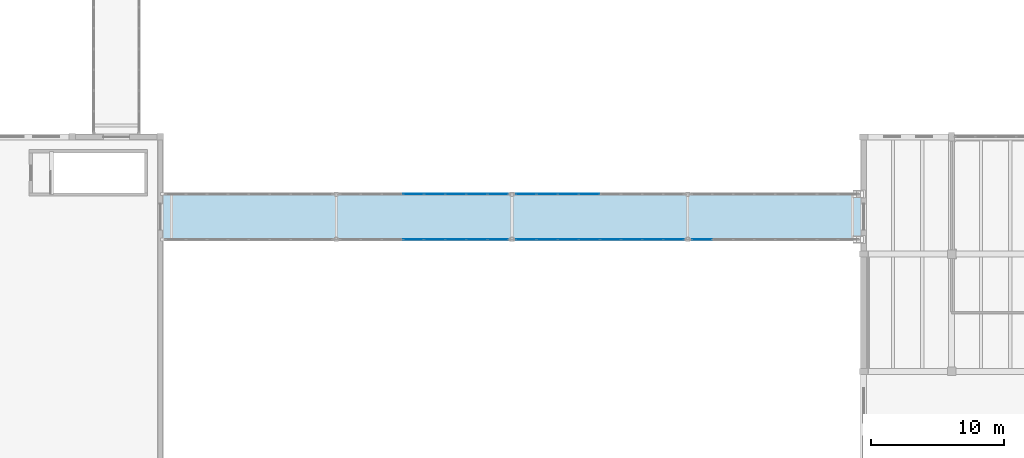
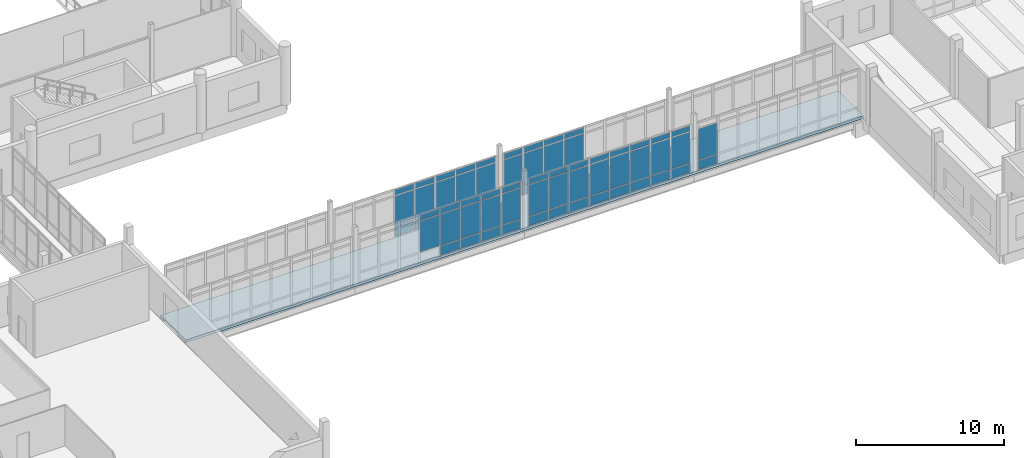
# One storey, part 48 of 101: 67 plates, 1 slab, 5 elements without a shape of their own.
"""IFC4 building model written with IfcOpenShell, lengths in metres."""

from ifc_helpers import new_model, si_unit, direction, frame, origin, origin_2d, place, context, subcontext, project, spatial, polyline, rectangle, outline, extrude, material, layer, layer_set, type_object, element, aggregate, save


model = new_model("IFC4")

# Units and contexts
model_context = context("Model", 3, precision=1e-05, world=origin(), true_north=direction((0.0, 1.0)))
body_context = subcontext(model_context, "Body", "Model", "MODEL_VIEW")
ifc_project = project(units=[si_unit("LENGTHUNIT", "METRE"), si_unit("AREAUNIT", "SQUARE_METRE"), si_unit("VOLUMEUNIT", "CUBIC_METRE"), si_unit("PLANEANGLEUNIT", "RADIAN"), si_unit("MASSUNIT", "GRAM", prefix="KILO")], contexts=[model_context])

# Site, building, storey
site_placement = place(None, origin())
site = spatial("IfcSite", under=ifc_project, at=site_placement, CompositionType="ELEMENT")
building_placement = place(site_placement, origin())
building = spatial("IfcBuilding", under=site, at=building_placement, Name="Dornvale Research Institute", CompositionType="ELEMENT")
storey_placement = place(building_placement, frame((0.0, 0.0, 10.199951171875)))
storey = spatial("IfcBuildingStorey", under=building, at=storey_placement, Name="L02", CompositionType="ELEMENT", Elevation=10.199951171875)

# Curtain wall, plates
ifc_material_1 = material(Name="Low-E Argon Double Insulating Glazing Unit", Category="glass")
curtain_wall_type_1 = type_object("IfcCurtainWallType", Name="UnitisedCurtainWall_V2_12700x4000", PredefinedType="USERDEFINED", material=ifc_material_1)
curtain_wall_1_placement = place(storey_placement, origin())
curtain_wall_1 = element("IfcCurtainWall", 1, at=curtain_wall_1_placement, inside=storey, type_object=curtain_wall_type_1, Name="L02 V2 unitised curtain wall CW-42 #225", ObjectType="UNITISED CURTAIN WALL", PredefinedType="USERDEFINED")
ifc_material_2 = material(Name="Insulated Ceramic-Frit Spandrel Glass Panel", Category="glass")
ifc_layer_1 = layer(ifc_material_2, 0.0419921875)
ifc_layer_set_1 = layer_set([ifc_layer_1], Name="Insulated Ceramic-Frit Spandrel Glass Panel")
plate_type_1 = type_object("IfcPlateType", Name="CurtainPanel_Spandrel_42", PredefinedType="CURTAIN_PANEL", material=ifc_layer_set_1)
plate_1_placement = place(storey_placement, frame((65.206298828125, 22.10009765625, 0.065185546875), z_axis=(0.0, 0.0, 1.0), x_axis=(1.0, 0.0, 0.0)))
plate_1 = element("IfcPlate", 2, at=plate_1_placement, type_object=plate_type_1, Name="CW-42 panel 4.1", PredefinedType="CURTAIN_PANEL", context=body_context, shape_type="SweptSolid", body=[
    extrude(rectangle(XDim=1.5224609375, YDim=0.0419921875, at=origin_2d()), origin(), (0.0, 0.0, 1.0), 0.75244140625),
])
plate_2_placement = place(storey_placement, frame((66.793701171875, 22.10009765625, 0.065185546875), z_axis=(0.0, 0.0, 1.0), x_axis=(1.0, 0.0, 0.0)))
plate_2 = element("IfcPlate", 3, at=plate_2_placement, type_object=plate_type_1, Name="CW-42 panel 5.1", PredefinedType="CURTAIN_PANEL", context=body_context, shape_type="SweptSolid", body=[
    extrude(rectangle(XDim=1.5224609375, YDim=0.0419921875, at=origin_2d()), origin(), (0.0, 0.0, 1.0), 0.75244140625),
])
plate_3_placement = place(storey_placement, frame((68.38134765625, 22.10009765625, 0.065185546875), z_axis=(0.0, 0.0, 1.0), x_axis=(1.0, 0.0, 0.0)))
plate_3 = element("IfcPlate", 4, at=plate_3_placement, type_object=plate_type_1, Name="CW-42 panel 6.1", PredefinedType="CURTAIN_PANEL", context=body_context, shape_type="SweptSolid", body=[
    extrude(rectangle(XDim=1.5224609375, YDim=0.0419921875, at=origin_2d()), origin(), (0.0, 0.0, 1.0), 0.75244140625),
])
plate_4_placement = place(storey_placement, frame((69.96875, 22.10009765625, 0.065185546875), z_axis=(0.0, 0.0, 1.0), x_axis=(1.0, 0.0, 0.0)))
plate_4 = element("IfcPlate", 5, at=plate_4_placement, type_object=plate_type_1, Name="CW-42 panel 7.1", PredefinedType="CURTAIN_PANEL", context=body_context, shape_type="SweptSolid", body=[
    extrude(rectangle(XDim=1.5224609375, YDim=0.0419921875, at=origin_2d()), origin(), (0.0, 0.0, 1.0), 0.75244140625),
])
plate_5_placement = place(storey_placement, frame((71.5400390625, 22.10009765625, 0.065185546875), z_axis=(0.0, 0.0, 1.0), x_axis=(1.0, 0.0, 0.0)))
plate_5 = element("IfcPlate", 6, at=plate_5_placement, type_object=plate_type_1, Name="CW-42 panel 8.1", PredefinedType="CURTAIN_PANEL", context=body_context, shape_type="SweptSolid", body=[
    extrude(rectangle(XDim=1.489990234375, YDim=0.0419921875, at=origin_2d()), origin(), (0.0, 0.0, 1.0), 0.75244140625),
])

curtain_wall_2_placement = place(storey_placement, origin())
curtain_wall_2 = element("IfcCurtainWall", 7, at=curtain_wall_2_placement, inside=storey, type_object=curtain_wall_type_1, Name="L02 V2 unitised curtain wall CW-42 #226", ObjectType="UNITISED CURTAIN WALL", PredefinedType="USERDEFINED")
plate_6_placement = place(storey_placement, frame((71.5400390625, 18.699951171875, 0.065185546875), z_axis=(0.0, 0.0, 1.0), x_axis=(-1.0, 0.0, 0.0)))
plate_6 = element("IfcPlate", 8, at=plate_6_placement, type_object=plate_type_1, Name="CW-42 panel 1.1", PredefinedType="CURTAIN_PANEL", context=body_context, shape_type="SweptSolid", body=[
    extrude(rectangle(XDim=1.489990234375, YDim=0.0419921875, at=origin_2d()), origin(), (0.0, 0.0, 1.0), 0.75244140625),
])
plate_7_placement = place(storey_placement, frame((69.96875, 18.699951171875, 0.065185546875), z_axis=(0.0, 0.0, 1.0), x_axis=(-1.0, 0.0, 0.0)))
plate_7 = element("IfcPlate", 9, at=plate_7_placement, type_object=plate_type_1, Name="CW-42 panel 2.1", PredefinedType="CURTAIN_PANEL", context=body_context, shape_type="SweptSolid", body=[
    extrude(rectangle(XDim=1.5224609375, YDim=0.0419921875, at=origin_2d()), origin(), (0.0, 0.0, 1.0), 0.75244140625),
])
plate_8_placement = place(storey_placement, frame((68.38134765625, 18.699951171875, 0.065185546875), z_axis=(0.0, 0.0, 1.0), x_axis=(-1.0, 0.0, 0.0)))
plate_8 = element("IfcPlate", 10, at=plate_8_placement, type_object=plate_type_1, Name="CW-42 panel 3.1", PredefinedType="CURTAIN_PANEL", context=body_context, shape_type="SweptSolid", body=[
    extrude(rectangle(XDim=1.5224609375, YDim=0.0419921875, at=origin_2d()), origin(), (0.0, 0.0, 1.0), 0.75244140625),
])
plate_9_placement = place(storey_placement, frame((66.793701171875, 18.699951171875, 0.065185546875), z_axis=(0.0, 0.0, 1.0), x_axis=(-1.0, 0.0, 0.0)))
plate_9 = element("IfcPlate", 11, at=plate_9_placement, type_object=plate_type_1, Name="CW-42 panel 4.1", PredefinedType="CURTAIN_PANEL", context=body_context, shape_type="SweptSolid", body=[
    extrude(rectangle(XDim=1.5224609375, YDim=0.0419921875, at=origin_2d()), origin(), (0.0, 0.0, 1.0), 0.75244140625),
])

curtain_wall_3_placement = place(storey_placement, origin())
curtain_wall_3 = element("IfcCurtainWall", 12, at=curtain_wall_3_placement, inside=storey, type_object=curtain_wall_type_1, Name="L02 V2 unitised curtain wall CW-42 #227", ObjectType="UNITISED CURTAIN WALL", PredefinedType="USERDEFINED")
plate_10_placement = place(storey_placement, frame((73.659912109375, 22.10009765625, 0.065185546875), z_axis=(0.0, 0.0, 1.0), x_axis=(1.0, 0.0, 0.0)))
plate_10 = element("IfcPlate", 13, at=plate_10_placement, type_object=plate_type_1, Name="CW-42 panel 1.1", PredefinedType="CURTAIN_PANEL", context=body_context, shape_type="SweptSolid", body=[
    extrude(rectangle(XDim=1.489990234375, YDim=0.0419921875, at=origin_2d()), origin(), (0.0, 0.0, 1.0), 0.75244140625),
])
plate_11_placement = place(storey_placement, frame((75.231201171875, 22.10009765625, 0.065185546875), z_axis=(0.0, 0.0, 1.0), x_axis=(1.0, 0.0, 0.0)))
plate_11 = element("IfcPlate", 14, at=plate_11_placement, type_object=plate_type_1, Name="CW-42 panel 2.1", PredefinedType="CURTAIN_PANEL", context=body_context, shape_type="SweptSolid", body=[
    extrude(rectangle(XDim=1.5224609375, YDim=0.0419921875, at=origin_2d()), origin(), (0.0, 0.0, 1.0), 0.75244140625),
])
plate_12_placement = place(storey_placement, frame((76.81884765625, 22.10009765625, 0.065185546875), z_axis=(0.0, 0.0, 1.0), x_axis=(1.0, 0.0, 0.0)))
plate_12 = element("IfcPlate", 15, at=plate_12_placement, type_object=plate_type_1, Name="CW-42 panel 3.1", PredefinedType="CURTAIN_PANEL", context=body_context, shape_type="SweptSolid", body=[
    extrude(rectangle(XDim=1.5224609375, YDim=0.0419921875, at=origin_2d()), origin(), (0.0, 0.0, 1.0), 0.75244140625),
])
plate_13_placement = place(storey_placement, frame((78.40625, 22.10009765625, 0.065185546875), z_axis=(0.0, 0.0, 1.0), x_axis=(1.0, 0.0, 0.0)))
plate_13 = element("IfcPlate", 16, at=plate_13_placement, type_object=plate_type_1, Name="CW-42 panel 4.1", PredefinedType="CURTAIN_PANEL", context=body_context, shape_type="SweptSolid", body=[
    extrude(rectangle(XDim=1.5224609375, YDim=0.0419921875, at=origin_2d()), origin(), (0.0, 0.0, 1.0), 0.75244140625),
])

curtain_wall_4_placement = place(storey_placement, origin())
curtain_wall_4 = element("IfcCurtainWall", 17, at=curtain_wall_4_placement, inside=storey, type_object=curtain_wall_type_1, Name="L02 V2 unitised curtain wall CW-42 #228", ObjectType="UNITISED CURTAIN WALL", PredefinedType="USERDEFINED")
plate_14_placement = place(storey_placement, frame((84.739990234375, 18.699951171875, 0.065185546875), z_axis=(0.0, 0.0, 1.0), x_axis=(-1.0, 0.0, 0.0)))
plate_14 = element("IfcPlate", 18, at=plate_14_placement, type_object=plate_type_1, Name="CW-42 panel 1.1", PredefinedType="CURTAIN_PANEL", context=body_context, shape_type="SweptSolid", body=[
    extrude(rectangle(XDim=1.489990234375, YDim=0.0419921875, at=origin_2d()), origin(), (0.0, 0.0, 1.0), 0.75244140625),
])
plate_15_placement = place(storey_placement, frame((83.168701171875, 18.699951171875, 0.065185546875), z_axis=(0.0, 0.0, 1.0), x_axis=(-1.0, 0.0, 0.0)))
plate_15 = element("IfcPlate", 19, at=plate_15_placement, type_object=plate_type_1, Name="CW-42 panel 2.1", PredefinedType="CURTAIN_PANEL", context=body_context, shape_type="SweptSolid", body=[
    extrude(rectangle(XDim=1.5224609375, YDim=0.0419921875, at=origin_2d()), origin(), (0.0, 0.0, 1.0), 0.75244140625),
])
plate_16_placement = place(storey_placement, frame((81.581298828125, 18.699951171875, 0.065185546875), z_axis=(0.0, 0.0, 1.0), x_axis=(-1.0, 0.0, 0.0)))
plate_16 = element("IfcPlate", 20, at=plate_16_placement, type_object=plate_type_1, Name="CW-42 panel 3.1", PredefinedType="CURTAIN_PANEL", context=body_context, shape_type="SweptSolid", body=[
    extrude(rectangle(XDim=1.5224609375, YDim=0.0419921875, at=origin_2d()), origin(), (0.0, 0.0, 1.0), 0.75244140625),
])
plate_17_placement = place(storey_placement, frame((79.99365234375, 18.699951171875, 0.065185546875), z_axis=(0.0, 0.0, 1.0), x_axis=(-1.0, 0.0, 0.0)))
plate_17 = element("IfcPlate", 21, at=plate_17_placement, type_object=plate_type_1, Name="CW-42 panel 4.1", PredefinedType="CURTAIN_PANEL", context=body_context, shape_type="SweptSolid", body=[
    extrude(rectangle(XDim=1.5224609375, YDim=0.0419921875, at=origin_2d()), origin(), (0.0, 0.0, 1.0), 0.75244140625),
])
plate_18_placement = place(storey_placement, frame((78.40625, 18.699951171875, 0.065185546875), z_axis=(0.0, 0.0, 1.0), x_axis=(-1.0, 0.0, 0.0)))
plate_18 = element("IfcPlate", 22, at=plate_18_placement, type_object=plate_type_1, Name="CW-42 panel 5.1", PredefinedType="CURTAIN_PANEL", context=body_context, shape_type="SweptSolid", body=[
    extrude(rectangle(XDim=1.5224609375, YDim=0.0419921875, at=origin_2d()), origin(), (0.0, 0.0, 1.0), 0.75244140625),
])
plate_19_placement = place(storey_placement, frame((76.81884765625, 18.699951171875, 0.065185546875), z_axis=(0.0, 0.0, 1.0), x_axis=(-1.0, 0.0, 0.0)))
plate_19 = element("IfcPlate", 23, at=plate_19_placement, type_object=plate_type_1, Name="CW-42 panel 6.1", PredefinedType="CURTAIN_PANEL", context=body_context, shape_type="SweptSolid", body=[
    extrude(rectangle(XDim=1.5224609375, YDim=0.0419921875, at=origin_2d()), origin(), (0.0, 0.0, 1.0), 0.75244140625),
])
plate_20_placement = place(storey_placement, frame((75.231201171875, 18.699951171875, 0.065185546875), z_axis=(0.0, 0.0, 1.0), x_axis=(-1.0, 0.0, 0.0)))
plate_20 = element("IfcPlate", 24, at=plate_20_placement, type_object=plate_type_1, Name="CW-42 panel 7.1", PredefinedType="CURTAIN_PANEL", context=body_context, shape_type="SweptSolid", body=[
    extrude(rectangle(XDim=1.5224609375, YDim=0.0419921875, at=origin_2d()), origin(), (0.0, 0.0, 1.0), 0.75244140625),
])
plate_21_placement = place(storey_placement, frame((73.659912109375, 18.699951171875, 0.065185546875), z_axis=(0.0, 0.0, 1.0), x_axis=(-1.0, 0.0, 0.0)))
plate_21 = element("IfcPlate", 25, at=plate_21_placement, type_object=plate_type_1, Name="CW-42 panel 8.1", PredefinedType="CURTAIN_PANEL", context=body_context, shape_type="SweptSolid", body=[
    extrude(rectangle(XDim=1.489990234375, YDim=0.0419921875, at=origin_2d()), origin(), (0.0, 0.0, 1.0), 0.75244140625),
])

# Curtain wall, plate
ifc_material_3 = material(Name="Low-E Argon Double Insulating Glazing Unit", Category="glass")
curtain_wall_type_2 = type_object("IfcCurtainWallType", Name="UnitisedCurtainWall_V2_12600x4000", PredefinedType="USERDEFINED", material=ifc_material_3)
curtain_wall_5_placement = place(storey_placement, origin())
curtain_wall_5 = element("IfcCurtainWall", 26, at=curtain_wall_5_placement, inside=storey, type_object=curtain_wall_type_2, Name="L02 V2 unitised curtain wall CW-41 #230", ObjectType="UNITISED CURTAIN WALL", PredefinedType="USERDEFINED")
plate_22_placement = place(storey_placement, frame((86.853759765625, 18.699951171875, 0.065185546875), z_axis=(0.0, 0.0, 1.0), x_axis=(-1.0, 0.0, 0.0)))
plate_22 = element("IfcPlate", 27, at=plate_22_placement, type_object=plate_type_1, Name="CW-41 panel 8.1", PredefinedType="CURTAIN_PANEL", context=body_context, shape_type="SweptSolid", body=[
    extrude(rectangle(XDim=1.4775390625, YDim=0.0419921875, at=origin_2d()), origin(), (0.0, 0.0, 1.0), 0.75244140625),
])

# Plate
ifc_material_4 = material(Name="Low-E Argon Double Insulating Glazing Unit", Category="glass")
ifc_layer_2 = layer(ifc_material_4, 0.028076171875)
ifc_layer_set_2 = layer_set([ifc_layer_2], Name="Low-E Argon Double Insulating Glazing Unit")
plate_type_2 = type_object("IfcPlateType", Name="CurtainPanel_Vision_28", PredefinedType="CURTAIN_PANEL", material=ifc_layer_set_2)
plate_23_placement = place(storey_placement, frame((65.206298828125, 22.10009765625, 0.8828125), z_axis=(0.0, 0.0, 1.0), x_axis=(1.0, 0.0, 0.0)))
plate_23 = element("IfcPlate", 28, at=plate_23_placement, type_object=plate_type_2, Name="CW-42 panel 4.2", PredefinedType="CURTAIN_PANEL", context=body_context, shape_type="SweptSolid", body=[
    extrude(rectangle(XDim=1.5224609375, YDim=0.028076171875, at=origin_2d()), origin(), (0.0, 0.0, 1.0), 2.534912109375),
])

plate_24_placement = place(storey_placement, frame((65.206298828125, 22.10009765625, 3.482421875), z_axis=(0.0, 0.0, 1.0), x_axis=(1.0, 0.0, 0.0)))
plate_24 = element("IfcPlate", 29, at=plate_24_placement, type_object=plate_type_2, Name="CW-42 panel 4.3", PredefinedType="CURTAIN_PANEL", context=body_context, shape_type="SweptSolid", body=[
    extrude(rectangle(XDim=1.5224609375, YDim=0.028076171875, at=origin_2d()), origin(), (0.0, 0.0, 1.0), 0.452392578125),
])

plate_25_placement = place(storey_placement, frame((66.793701171875, 22.10009765625, 0.8828125), z_axis=(0.0, 0.0, 1.0), x_axis=(1.0, 0.0, 0.0)))
plate_25 = element("IfcPlate", 30, at=plate_25_placement, type_object=plate_type_2, Name="CW-42 panel 5.2", PredefinedType="CURTAIN_PANEL", context=body_context, shape_type="SweptSolid", body=[
    extrude(rectangle(XDim=1.5224609375, YDim=0.028076171875, at=origin_2d()), origin(), (0.0, 0.0, 1.0), 2.534912109375),
])

plate_26_placement = place(storey_placement, frame((66.793701171875, 22.10009765625, 3.482421875), z_axis=(0.0, 0.0, 1.0), x_axis=(1.0, 0.0, 0.0)))
plate_26 = element("IfcPlate", 31, at=plate_26_placement, type_object=plate_type_2, Name="CW-42 panel 5.3", PredefinedType="CURTAIN_PANEL", context=body_context, shape_type="SweptSolid", body=[
    extrude(rectangle(XDim=1.5224609375, YDim=0.028076171875, at=origin_2d()), origin(), (0.0, 0.0, 1.0), 0.452392578125),
])

plate_27_placement = place(storey_placement, frame((68.38134765625, 22.10009765625, 0.8828125), z_axis=(0.0, 0.0, 1.0), x_axis=(1.0, 0.0, 0.0)))
plate_27 = element("IfcPlate", 32, at=plate_27_placement, type_object=plate_type_2, Name="CW-42 panel 6.2", PredefinedType="CURTAIN_PANEL", context=body_context, shape_type="SweptSolid", body=[
    extrude(rectangle(XDim=1.5224609375, YDim=0.028076171875, at=origin_2d()), origin(), (0.0, 0.0, 1.0), 2.534912109375),
])

plate_28_placement = place(storey_placement, frame((68.38134765625, 22.10009765625, 3.482421875), z_axis=(0.0, 0.0, 1.0), x_axis=(1.0, 0.0, 0.0)))
plate_28 = element("IfcPlate", 33, at=plate_28_placement, type_object=plate_type_2, Name="CW-42 panel 6.3", PredefinedType="CURTAIN_PANEL", context=body_context, shape_type="SweptSolid", body=[
    extrude(rectangle(XDim=1.5224609375, YDim=0.028076171875, at=origin_2d()), origin(), (0.0, 0.0, 1.0), 0.452392578125),
])

plate_29_placement = place(storey_placement, frame((69.96875, 22.10009765625, 0.8828125), z_axis=(0.0, 0.0, 1.0), x_axis=(1.0, 0.0, 0.0)))
plate_29 = element("IfcPlate", 34, at=plate_29_placement, type_object=plate_type_2, Name="CW-42 panel 7.2", PredefinedType="CURTAIN_PANEL", context=body_context, shape_type="SweptSolid", body=[
    extrude(rectangle(XDim=1.5224609375, YDim=0.028076171875, at=origin_2d()), origin(), (0.0, 0.0, 1.0), 2.534912109375),
])

plate_30_placement = place(storey_placement, frame((69.96875, 22.10009765625, 3.482421875), z_axis=(0.0, 0.0, 1.0), x_axis=(1.0, 0.0, 0.0)))
plate_30 = element("IfcPlate", 35, at=plate_30_placement, type_object=plate_type_2, Name="CW-42 panel 7.3", PredefinedType="CURTAIN_PANEL", context=body_context, shape_type="SweptSolid", body=[
    extrude(rectangle(XDim=1.5224609375, YDim=0.028076171875, at=origin_2d()), origin(), (0.0, 0.0, 1.0), 0.452392578125),
])

plate_31_placement = place(storey_placement, frame((71.5400390625, 22.10009765625, 0.8828125), z_axis=(0.0, 0.0, 1.0), x_axis=(1.0, 0.0, 0.0)))
plate_31 = element("IfcPlate", 36, at=plate_31_placement, type_object=plate_type_2, Name="CW-42 panel 8.2", PredefinedType="CURTAIN_PANEL", context=body_context, shape_type="SweptSolid", body=[
    extrude(rectangle(XDim=1.489990234375, YDim=0.028076171875, at=origin_2d()), origin(), (0.0, 0.0, 1.0), 2.534912109375),
])

plate_32_placement = place(storey_placement, frame((71.5400390625, 22.10009765625, 3.482421875), z_axis=(0.0, 0.0, 1.0), x_axis=(1.0, 0.0, 0.0)))
plate_32 = element("IfcPlate", 37, at=plate_32_placement, type_object=plate_type_2, Name="CW-42 panel 8.3", PredefinedType="CURTAIN_PANEL", context=body_context, shape_type="SweptSolid", body=[
    extrude(rectangle(XDim=1.489990234375, YDim=0.028076171875, at=origin_2d()), origin(), (0.0, 0.0, 1.0), 0.452392578125),
])

aggregate(curtain_wall_1, [plate_1, plate_23, plate_24, plate_2, plate_25, plate_26, plate_3, plate_27, plate_28, plate_4, plate_29, plate_30, plate_5, plate_31, plate_32])

plate_33_placement = place(storey_placement, frame((71.5400390625, 18.699951171875, 0.8828125), z_axis=(0.0, 0.0, 1.0), x_axis=(-1.0, 0.0, 0.0)))
plate_33 = element("IfcPlate", 38, at=plate_33_placement, type_object=plate_type_2, Name="CW-42 panel 1.2", PredefinedType="CURTAIN_PANEL", context=body_context, shape_type="SweptSolid", body=[
    extrude(rectangle(XDim=1.489990234375, YDim=0.028076171875, at=origin_2d()), origin(), (0.0, 0.0, 1.0), 2.534912109375),
])

plate_34_placement = place(storey_placement, frame((71.5400390625, 18.699951171875, 3.482421875), z_axis=(0.0, 0.0, 1.0), x_axis=(-1.0, 0.0, 0.0)))
plate_34 = element("IfcPlate", 39, at=plate_34_placement, type_object=plate_type_2, Name="CW-42 panel 1.3", PredefinedType="CURTAIN_PANEL", context=body_context, shape_type="SweptSolid", body=[
    extrude(rectangle(XDim=1.489990234375, YDim=0.028076171875, at=origin_2d()), origin(), (0.0, 0.0, 1.0), 0.452392578125),
])

plate_35_placement = place(storey_placement, frame((69.96875, 18.699951171875, 0.8828125), z_axis=(0.0, 0.0, 1.0), x_axis=(-1.0, 0.0, 0.0)))
plate_35 = element("IfcPlate", 40, at=plate_35_placement, type_object=plate_type_2, Name="CW-42 panel 2.2", PredefinedType="CURTAIN_PANEL", context=body_context, shape_type="SweptSolid", body=[
    extrude(rectangle(XDim=1.5224609375, YDim=0.028076171875, at=origin_2d()), origin(), (0.0, 0.0, 1.0), 2.534912109375),
])

plate_36_placement = place(storey_placement, frame((69.96875, 18.699951171875, 3.482421875), z_axis=(0.0, 0.0, 1.0), x_axis=(-1.0, 0.0, 0.0)))
plate_36 = element("IfcPlate", 41, at=plate_36_placement, type_object=plate_type_2, Name="CW-42 panel 2.3", PredefinedType="CURTAIN_PANEL", context=body_context, shape_type="SweptSolid", body=[
    extrude(rectangle(XDim=1.5224609375, YDim=0.028076171875, at=origin_2d()), origin(), (0.0, 0.0, 1.0), 0.452392578125),
])

plate_37_placement = place(storey_placement, frame((68.38134765625, 18.699951171875, 0.8828125), z_axis=(0.0, 0.0, 1.0), x_axis=(-1.0, 0.0, 0.0)))
plate_37 = element("IfcPlate", 42, at=plate_37_placement, type_object=plate_type_2, Name="CW-42 panel 3.2", PredefinedType="CURTAIN_PANEL", context=body_context, shape_type="SweptSolid", body=[
    extrude(rectangle(XDim=1.5224609375, YDim=0.028076171875, at=origin_2d()), origin(), (0.0, 0.0, 1.0), 2.534912109375),
])

plate_38_placement = place(storey_placement, frame((68.38134765625, 18.699951171875, 3.482421875), z_axis=(0.0, 0.0, 1.0), x_axis=(-1.0, 0.0, 0.0)))
plate_38 = element("IfcPlate", 43, at=plate_38_placement, type_object=plate_type_2, Name="CW-42 panel 3.3", PredefinedType="CURTAIN_PANEL", context=body_context, shape_type="SweptSolid", body=[
    extrude(rectangle(XDim=1.5224609375, YDim=0.028076171875, at=origin_2d()), origin(), (0.0, 0.0, 1.0), 0.452392578125),
])

plate_39_placement = place(storey_placement, frame((66.793701171875, 18.699951171875, 0.8828125), z_axis=(0.0, 0.0, 1.0), x_axis=(-1.0, 0.0, 0.0)))
plate_39 = element("IfcPlate", 44, at=plate_39_placement, type_object=plate_type_2, Name="CW-42 panel 4.2", PredefinedType="CURTAIN_PANEL", context=body_context, shape_type="SweptSolid", body=[
    extrude(rectangle(XDim=1.5224609375, YDim=0.028076171875, at=origin_2d()), origin(), (0.0, 0.0, 1.0), 2.534912109375),
])

plate_40_placement = place(storey_placement, frame((66.793701171875, 18.699951171875, 3.482421875), z_axis=(0.0, 0.0, 1.0), x_axis=(-1.0, 0.0, 0.0)))
plate_40 = element("IfcPlate", 45, at=plate_40_placement, type_object=plate_type_2, Name="CW-42 panel 4.3", PredefinedType="CURTAIN_PANEL", context=body_context, shape_type="SweptSolid", body=[
    extrude(rectangle(XDim=1.5224609375, YDim=0.028076171875, at=origin_2d()), origin(), (0.0, 0.0, 1.0), 0.452392578125),
])

plate_41_placement = place(storey_placement, frame((65.206298828125, 18.699951171875, 0.8828125), z_axis=(0.0, 0.0, 1.0), x_axis=(-1.0, 0.0, 0.0)))
plate_41 = element("IfcPlate", 46, at=plate_41_placement, type_object=plate_type_2, Name="CW-42 panel 5.2", PredefinedType="CURTAIN_PANEL", context=body_context, shape_type="SweptSolid", body=[
    extrude(rectangle(XDim=1.5224609375, YDim=0.028076171875, at=origin_2d()), origin(), (0.0, 0.0, 1.0), 2.534912109375),
])

plate_42_placement = place(storey_placement, frame((65.206298828125, 18.699951171875, 3.482421875), z_axis=(0.0, 0.0, 1.0), x_axis=(-1.0, 0.0, 0.0)))
plate_42 = element("IfcPlate", 47, at=plate_42_placement, type_object=plate_type_2, Name="CW-42 panel 5.3", PredefinedType="CURTAIN_PANEL", context=body_context, shape_type="SweptSolid", body=[
    extrude(rectangle(XDim=1.5224609375, YDim=0.028076171875, at=origin_2d()), origin(), (0.0, 0.0, 1.0), 0.452392578125),
])

aggregate(curtain_wall_2, [plate_6, plate_33, plate_34, plate_7, plate_35, plate_36, plate_8, plate_37, plate_38, plate_9, plate_39, plate_40, plate_41, plate_42])

plate_43_placement = place(storey_placement, frame((73.659912109375, 22.10009765625, 0.8828125), z_axis=(0.0, 0.0, 1.0), x_axis=(1.0, 0.0, 0.0)))
plate_43 = element("IfcPlate", 48, at=plate_43_placement, type_object=plate_type_2, Name="CW-42 panel 1.2", PredefinedType="CURTAIN_PANEL", context=body_context, shape_type="SweptSolid", body=[
    extrude(rectangle(XDim=1.489990234375, YDim=0.028076171875, at=origin_2d()), origin(), (0.0, 0.0, 1.0), 2.534912109375),
])

plate_44_placement = place(storey_placement, frame((73.659912109375, 22.10009765625, 3.482421875), z_axis=(0.0, 0.0, 1.0), x_axis=(1.0, 0.0, 0.0)))
plate_44 = element("IfcPlate", 49, at=plate_44_placement, type_object=plate_type_2, Name="CW-42 panel 1.3", PredefinedType="CURTAIN_PANEL", context=body_context, shape_type="SweptSolid", body=[
    extrude(rectangle(XDim=1.489990234375, YDim=0.028076171875, at=origin_2d()), origin(), (0.0, 0.0, 1.0), 0.452392578125),
])

plate_45_placement = place(storey_placement, frame((75.231201171875, 22.10009765625, 0.8828125), z_axis=(0.0, 0.0, 1.0), x_axis=(1.0, 0.0, 0.0)))
plate_45 = element("IfcPlate", 50, at=plate_45_placement, type_object=plate_type_2, Name="CW-42 panel 2.2", PredefinedType="CURTAIN_PANEL", context=body_context, shape_type="SweptSolid", body=[
    extrude(rectangle(XDim=1.5224609375, YDim=0.028076171875, at=origin_2d()), origin(), (0.0, 0.0, 1.0), 2.534912109375),
])

plate_46_placement = place(storey_placement, frame((75.231201171875, 22.10009765625, 3.482421875), z_axis=(0.0, 0.0, 1.0), x_axis=(1.0, 0.0, 0.0)))
plate_46 = element("IfcPlate", 51, at=plate_46_placement, type_object=plate_type_2, Name="CW-42 panel 2.3", PredefinedType="CURTAIN_PANEL", context=body_context, shape_type="SweptSolid", body=[
    extrude(rectangle(XDim=1.5224609375, YDim=0.028076171875, at=origin_2d()), origin(), (0.0, 0.0, 1.0), 0.452392578125),
])

plate_47_placement = place(storey_placement, frame((76.81884765625, 22.10009765625, 0.8828125), z_axis=(0.0, 0.0, 1.0), x_axis=(1.0, 0.0, 0.0)))
plate_47 = element("IfcPlate", 52, at=plate_47_placement, type_object=plate_type_2, Name="CW-42 panel 3.2", PredefinedType="CURTAIN_PANEL", context=body_context, shape_type="SweptSolid", body=[
    extrude(rectangle(XDim=1.5224609375, YDim=0.028076171875, at=origin_2d()), origin(), (0.0, 0.0, 1.0), 2.534912109375),
])

plate_48_placement = place(storey_placement, frame((76.81884765625, 22.10009765625, 3.482421875), z_axis=(0.0, 0.0, 1.0), x_axis=(1.0, 0.0, 0.0)))
plate_48 = element("IfcPlate", 53, at=plate_48_placement, type_object=plate_type_2, Name="CW-42 panel 3.3", PredefinedType="CURTAIN_PANEL", context=body_context, shape_type="SweptSolid", body=[
    extrude(rectangle(XDim=1.5224609375, YDim=0.028076171875, at=origin_2d()), origin(), (0.0, 0.0, 1.0), 0.452392578125),
])

plate_49_placement = place(storey_placement, frame((78.40625, 22.10009765625, 0.8828125), z_axis=(0.0, 0.0, 1.0), x_axis=(1.0, 0.0, 0.0)))
plate_49 = element("IfcPlate", 54, at=plate_49_placement, type_object=plate_type_2, Name="CW-42 panel 4.2", PredefinedType="CURTAIN_PANEL", context=body_context, shape_type="SweptSolid", body=[
    extrude(rectangle(XDim=1.5224609375, YDim=0.028076171875, at=origin_2d()), origin(), (0.0, 0.0, 1.0), 2.534912109375),
])

plate_50_placement = place(storey_placement, frame((78.40625, 22.10009765625, 3.482421875), z_axis=(0.0, 0.0, 1.0), x_axis=(1.0, 0.0, 0.0)))
plate_50 = element("IfcPlate", 55, at=plate_50_placement, type_object=plate_type_2, Name="CW-42 panel 4.3", PredefinedType="CURTAIN_PANEL", context=body_context, shape_type="SweptSolid", body=[
    extrude(rectangle(XDim=1.5224609375, YDim=0.028076171875, at=origin_2d()), origin(), (0.0, 0.0, 1.0), 0.452392578125),
])

aggregate(curtain_wall_3, [plate_10, plate_43, plate_44, plate_11, plate_45, plate_46, plate_12, plate_47, plate_48, plate_13, plate_49, plate_50])

plate_51_placement = place(storey_placement, frame((84.739990234375, 18.699951171875, 0.8828125), z_axis=(0.0, 0.0, 1.0), x_axis=(-1.0, 0.0, 0.0)))
plate_51 = element("IfcPlate", 56, at=plate_51_placement, type_object=plate_type_2, Name="CW-42 panel 1.2", PredefinedType="CURTAIN_PANEL", context=body_context, shape_type="SweptSolid", body=[
    extrude(rectangle(XDim=1.489990234375, YDim=0.028076171875, at=origin_2d()), origin(), (0.0, 0.0, 1.0), 2.534912109375),
])

plate_52_placement = place(storey_placement, frame((84.739990234375, 18.699951171875, 3.482421875), z_axis=(0.0, 0.0, 1.0), x_axis=(-1.0, 0.0, 0.0)))
plate_52 = element("IfcPlate", 57, at=plate_52_placement, type_object=plate_type_2, Name="CW-42 panel 1.3", PredefinedType="CURTAIN_PANEL", context=body_context, shape_type="SweptSolid", body=[
    extrude(rectangle(XDim=1.489990234375, YDim=0.028076171875, at=origin_2d()), origin(), (0.0, 0.0, 1.0), 0.452392578125),
])

plate_53_placement = place(storey_placement, frame((83.168701171875, 18.699951171875, 0.8828125), z_axis=(0.0, 0.0, 1.0), x_axis=(-1.0, 0.0, 0.0)))
plate_53 = element("IfcPlate", 58, at=plate_53_placement, type_object=plate_type_2, Name="CW-42 panel 2.2", PredefinedType="CURTAIN_PANEL", context=body_context, shape_type="SweptSolid", body=[
    extrude(rectangle(XDim=1.5224609375, YDim=0.028076171875, at=origin_2d()), origin(), (0.0, 0.0, 1.0), 2.534912109375),
])

plate_54_placement = place(storey_placement, frame((83.168701171875, 18.699951171875, 3.482421875), z_axis=(0.0, 0.0, 1.0), x_axis=(-1.0, 0.0, 0.0)))
plate_54 = element("IfcPlate", 59, at=plate_54_placement, type_object=plate_type_2, Name="CW-42 panel 2.3", PredefinedType="CURTAIN_PANEL", context=body_context, shape_type="SweptSolid", body=[
    extrude(rectangle(XDim=1.5224609375, YDim=0.028076171875, at=origin_2d()), origin(), (0.0, 0.0, 1.0), 0.452392578125),
])

plate_55_placement = place(storey_placement, frame((81.581298828125, 18.699951171875, 0.8828125), z_axis=(0.0, 0.0, 1.0), x_axis=(-1.0, 0.0, 0.0)))
plate_55 = element("IfcPlate", 60, at=plate_55_placement, type_object=plate_type_2, Name="CW-42 panel 3.2", PredefinedType="CURTAIN_PANEL", context=body_context, shape_type="SweptSolid", body=[
    extrude(rectangle(XDim=1.5224609375, YDim=0.028076171875, at=origin_2d()), origin(), (0.0, 0.0, 1.0), 2.534912109375),
])

plate_56_placement = place(storey_placement, frame((81.581298828125, 18.699951171875, 3.482421875), z_axis=(0.0, 0.0, 1.0), x_axis=(-1.0, 0.0, 0.0)))
plate_56 = element("IfcPlate", 61, at=plate_56_placement, type_object=plate_type_2, Name="CW-42 panel 3.3", PredefinedType="CURTAIN_PANEL", context=body_context, shape_type="SweptSolid", body=[
    extrude(rectangle(XDim=1.5224609375, YDim=0.028076171875, at=origin_2d()), origin(), (0.0, 0.0, 1.0), 0.452392578125),
])

plate_57_placement = place(storey_placement, frame((79.99365234375, 18.699951171875, 0.8828125), z_axis=(0.0, 0.0, 1.0), x_axis=(-1.0, 0.0, 0.0)))
plate_57 = element("IfcPlate", 62, at=plate_57_placement, type_object=plate_type_2, Name="CW-42 panel 4.2", PredefinedType="CURTAIN_PANEL", context=body_context, shape_type="SweptSolid", body=[
    extrude(rectangle(XDim=1.5224609375, YDim=0.028076171875, at=origin_2d()), origin(), (0.0, 0.0, 1.0), 2.534912109375),
])

plate_58_placement = place(storey_placement, frame((79.99365234375, 18.699951171875, 3.482421875), z_axis=(0.0, 0.0, 1.0), x_axis=(-1.0, 0.0, 0.0)))
plate_58 = element("IfcPlate", 63, at=plate_58_placement, type_object=plate_type_2, Name="CW-42 panel 4.3", PredefinedType="CURTAIN_PANEL", context=body_context, shape_type="SweptSolid", body=[
    extrude(rectangle(XDim=1.5224609375, YDim=0.028076171875, at=origin_2d()), origin(), (0.0, 0.0, 1.0), 0.452392578125),
])

plate_59_placement = place(storey_placement, frame((78.40625, 18.699951171875, 0.8828125), z_axis=(0.0, 0.0, 1.0), x_axis=(-1.0, 0.0, 0.0)))
plate_59 = element("IfcPlate", 64, at=plate_59_placement, type_object=plate_type_2, Name="CW-42 panel 5.2", PredefinedType="CURTAIN_PANEL", context=body_context, shape_type="SweptSolid", body=[
    extrude(rectangle(XDim=1.5224609375, YDim=0.028076171875, at=origin_2d()), origin(), (0.0, 0.0, 1.0), 2.534912109375),
])

plate_60_placement = place(storey_placement, frame((78.40625, 18.699951171875, 3.482421875), z_axis=(0.0, 0.0, 1.0), x_axis=(-1.0, 0.0, 0.0)))
plate_60 = element("IfcPlate", 65, at=plate_60_placement, type_object=plate_type_2, Name="CW-42 panel 5.3", PredefinedType="CURTAIN_PANEL", context=body_context, shape_type="SweptSolid", body=[
    extrude(rectangle(XDim=1.5224609375, YDim=0.028076171875, at=origin_2d()), origin(), (0.0, 0.0, 1.0), 0.452392578125),
])

plate_61_placement = place(storey_placement, frame((76.81884765625, 18.699951171875, 0.8828125), z_axis=(0.0, 0.0, 1.0), x_axis=(-1.0, 0.0, 0.0)))
plate_61 = element("IfcPlate", 66, at=plate_61_placement, type_object=plate_type_2, Name="CW-42 panel 6.2", PredefinedType="CURTAIN_PANEL", context=body_context, shape_type="SweptSolid", body=[
    extrude(rectangle(XDim=1.5224609375, YDim=0.028076171875, at=origin_2d()), origin(), (0.0, 0.0, 1.0), 2.534912109375),
])

plate_62_placement = place(storey_placement, frame((76.81884765625, 18.699951171875, 3.482421875), z_axis=(0.0, 0.0, 1.0), x_axis=(-1.0, 0.0, 0.0)))
plate_62 = element("IfcPlate", 67, at=plate_62_placement, type_object=plate_type_2, Name="CW-42 panel 6.3", PredefinedType="CURTAIN_PANEL", context=body_context, shape_type="SweptSolid", body=[
    extrude(rectangle(XDim=1.5224609375, YDim=0.028076171875, at=origin_2d()), origin(), (0.0, 0.0, 1.0), 0.452392578125),
])

plate_63_placement = place(storey_placement, frame((75.231201171875, 18.699951171875, 0.8828125), z_axis=(0.0, 0.0, 1.0), x_axis=(-1.0, 0.0, 0.0)))
plate_63 = element("IfcPlate", 68, at=plate_63_placement, type_object=plate_type_2, Name="CW-42 panel 7.2", PredefinedType="CURTAIN_PANEL", context=body_context, shape_type="SweptSolid", body=[
    extrude(rectangle(XDim=1.5224609375, YDim=0.028076171875, at=origin_2d()), origin(), (0.0, 0.0, 1.0), 2.534912109375),
])

plate_64_placement = place(storey_placement, frame((75.231201171875, 18.699951171875, 3.482421875), z_axis=(0.0, 0.0, 1.0), x_axis=(-1.0, 0.0, 0.0)))
plate_64 = element("IfcPlate", 69, at=plate_64_placement, type_object=plate_type_2, Name="CW-42 panel 7.3", PredefinedType="CURTAIN_PANEL", context=body_context, shape_type="SweptSolid", body=[
    extrude(rectangle(XDim=1.5224609375, YDim=0.028076171875, at=origin_2d()), origin(), (0.0, 0.0, 1.0), 0.452392578125),
])

plate_65_placement = place(storey_placement, frame((73.659912109375, 18.699951171875, 0.8828125), z_axis=(0.0, 0.0, 1.0), x_axis=(-1.0, 0.0, 0.0)))
plate_65 = element("IfcPlate", 70, at=plate_65_placement, type_object=plate_type_2, Name="CW-42 panel 8.2", PredefinedType="CURTAIN_PANEL", context=body_context, shape_type="SweptSolid", body=[
    extrude(rectangle(XDim=1.489990234375, YDim=0.028076171875, at=origin_2d()), origin(), (0.0, 0.0, 1.0), 2.534912109375),
])

plate_66_placement = place(storey_placement, frame((73.659912109375, 18.699951171875, 3.482421875), z_axis=(0.0, 0.0, 1.0), x_axis=(-1.0, 0.0, 0.0)))
plate_66 = element("IfcPlate", 71, at=plate_66_placement, type_object=plate_type_2, Name="CW-42 panel 8.3", PredefinedType="CURTAIN_PANEL", context=body_context, shape_type="SweptSolid", body=[
    extrude(rectangle(XDim=1.489990234375, YDim=0.028076171875, at=origin_2d()), origin(), (0.0, 0.0, 1.0), 0.452392578125),
])

aggregate(curtain_wall_4, [plate_14, plate_51, plate_52, plate_15, plate_53, plate_54, plate_16, plate_55, plate_56, plate_17, plate_57, plate_58, plate_18, plate_59, plate_60, plate_19, plate_61, plate_62, plate_20, plate_63, plate_64, plate_21, plate_65, plate_66])

plate_67_placement = place(storey_placement, frame((86.853759765625, 18.699951171875, 0.8828125), z_axis=(0.0, 0.0, 1.0), x_axis=(-1.0, 0.0, 0.0)))
plate_67 = element("IfcPlate", 72, at=plate_67_placement, type_object=plate_type_2, Name="CW-41 panel 8.2", PredefinedType="CURTAIN_PANEL", context=body_context, shape_type="SweptSolid", body=[
    extrude(rectangle(XDim=1.4775390625, YDim=0.028076171875, at=origin_2d()), origin(), (0.0, 0.0, 1.0), 2.534912109375),
])

aggregate(curtain_wall_5, [plate_22, plate_67])

# Slab
ifc_material_5 = material(Name="Concrete f'c 45 MPa (C35/45)", Category="concrete")
ifc_layer_3 = layer(ifc_material_5, 0.219970703125)
ifc_layer_set_3 = layer_set([ifc_layer_3], Name="Concrete f'c 45 MPa (C35/45)")
slab_type = type_object("IfcSlabType", Name="FloorSlab_Bridge_220", PredefinedType="FLOOR", material=ifc_layer_set_3)
slab_placement = place(storey_placement, frame((0.0, 0.0, -0.219970703125)))
element("IfcSlab", 73, at=slab_placement, inside=storey, type_object=slab_type, Name="L02 link bridge deck BR-6", PredefinedType="FLOOR", context=body_context, shape_type="SweptSolid", body=[
    extrude(outline(polyline([(46.219970703125, 22.10009765625), (98.97998046875, 22.10009765625), (98.97998046875, 18.699951171875), (46.219970703125, 18.699951171875), (46.219970703125, 22.10009765625)])), origin(), (0.0, 0.0, 1.0), 0.219970703125),
])

save(model, "model.ifc")
